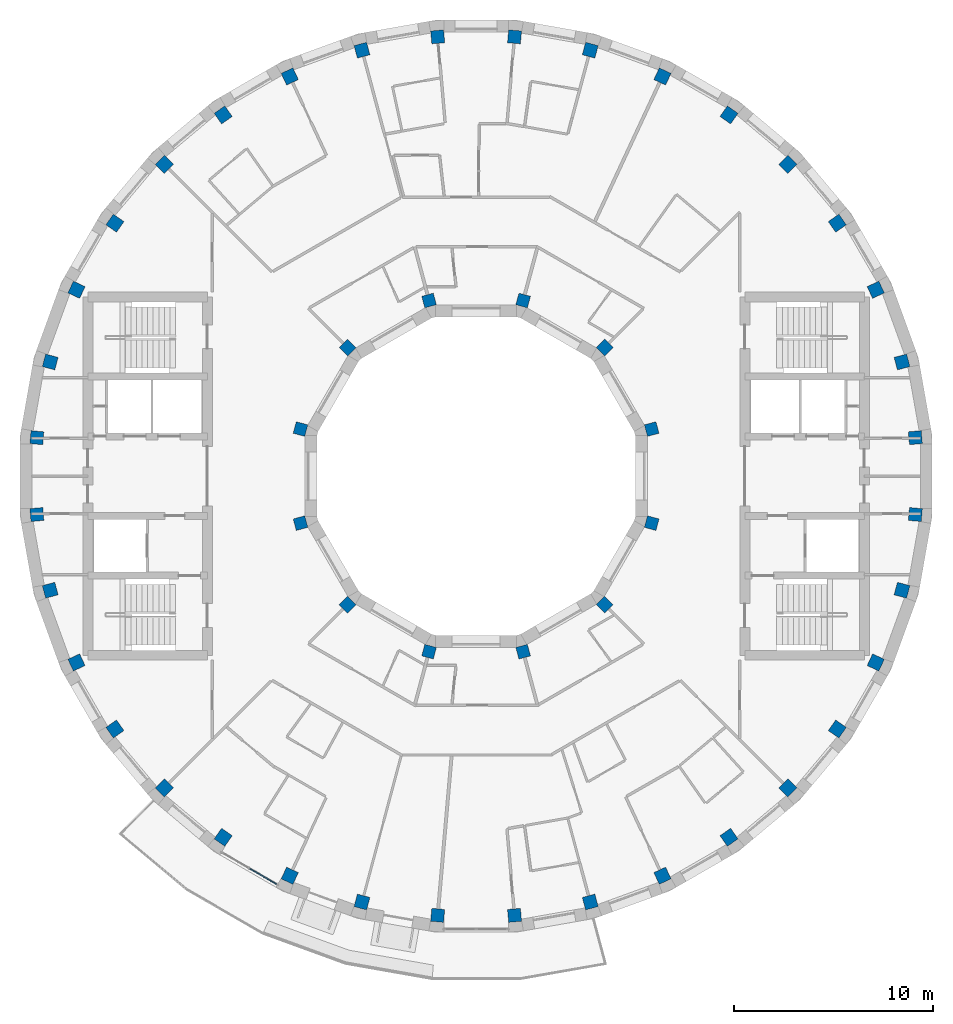
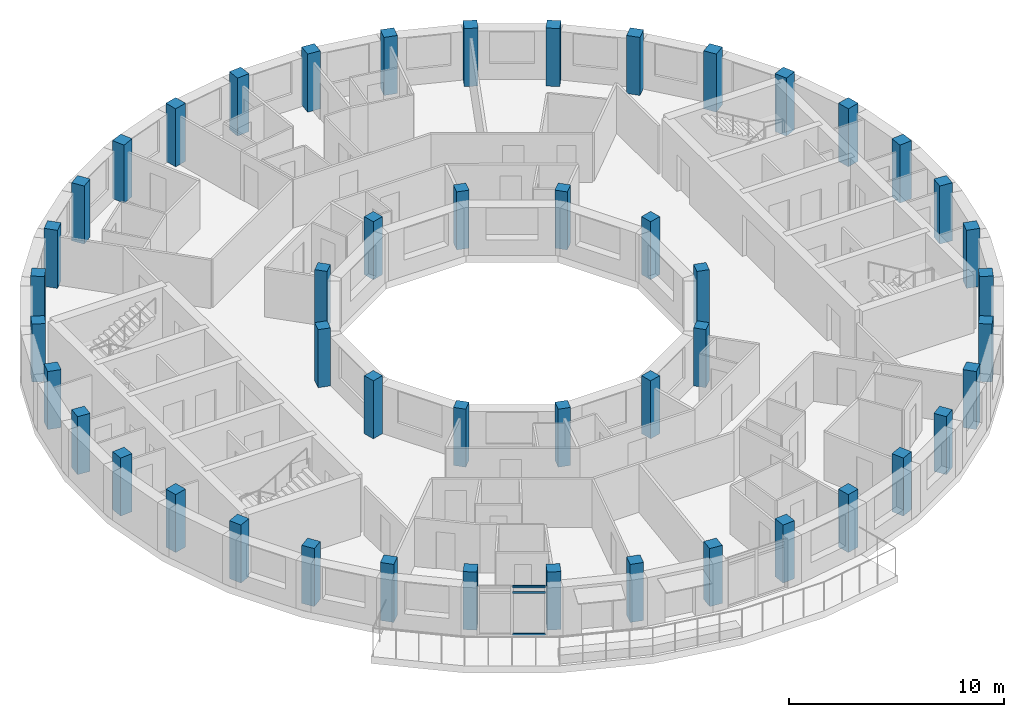
# One storey, part 1 of 12: 48 columns, 3 members, 1 element without a shape of its own.
"""IFC4 building model written with IfcOpenShell, lengths in metres."""

from ifc_helpers import new_model, si_unit, direction, frame, origin, origin_2d, place, context, subcontext, project, spatial, rectangle, extrude, material, layer, layer_set, material_profile, profile_set, type_object, element, aggregate, save


model = new_model("IFC4")

# Units and contexts
model_context = context("Model", 3, precision=1e-05, world=origin(), true_north=direction((0.0, 1.0)))
body_context = subcontext(model_context, "Body", "Model", "MODEL_VIEW")
ifc_project = project(units=[si_unit("LENGTHUNIT", "METRE"), si_unit("AREAUNIT", "SQUARE_METRE"), si_unit("VOLUMEUNIT", "CUBIC_METRE"), si_unit("PLANEANGLEUNIT", "RADIAN"), si_unit("MASSUNIT", "GRAM", prefix="KILO")], contexts=[model_context])

# Site, building, storey
site_placement = place(None, origin())
site = spatial("IfcSite", under=ifc_project, at=site_placement, CompositionType="ELEMENT")
building_placement = place(site_placement, origin())
building = spatial("IfcBuilding", under=site, at=building_placement, Name="Saqina Gate Tower", CompositionType="ELEMENT")
storey_placement = place(building_placement, frame((0.0, 0.0, 275.89990234375)))
storey = spatial("IfcBuildingStorey", under=building, at=storey_placement, Name="L79", CompositionType="ELEMENT", Elevation=275.89990234375)

# Columns
ifc_material_1 = material(Name="Concrete C60/75", Category="concrete")
ifc_material_profile_1 = material_profile(ifc_material_1, rectangle(XDim=0.60009765625, YDim=0.60009765625, at=origin_2d()), Name="RC 600x600")
ifc_profile_set_1 = profile_set([ifc_material_profile_1], Name="Concrete C60/75")
column_type_1 = type_object("IfcColumnType", Name="STR-COL-IN-D", PredefinedType="COLUMN", material=ifc_profile_set_1)
for number, where, z_axis, x_axis, name in (
    (1, (8.821044921875, 2.363525390625, 0.0), (0.0, 0.0, 1.0), (0.965925826289, 0.258819045103, 0.0), "L79-ICL01"),
    (2, (6.45751953125, 6.45751953125, 0.0), (0.0, 0.0, 1.0), (0.707106781187, 0.707106781187, 0.0), "L79-ICL02"),
    (3, (2.363525390625, 8.821044921875, 0.0), (0.0, 0.0, 1.0), (0.258819045103, 0.965925826289, 0.0), "L79-ICL03"),
    (4, (-2.363525390625, 8.821044921875, 0.0), (0.0, 0.0, 1.0), (-0.258819045103, 0.965925826289, 0.0), "L79-ICL04"),
    (5, (-6.45751953125, 6.45751953125, 0.0), (0.0, 0.0, 1.0), (-0.707106781187, 0.707106781187, 0.0), "L79-ICL05"),
    (6, (-8.821044921875, 2.363525390625, 0.0), (0.0, 0.0, 1.0), (-0.965925826289, 0.258819045103, 0.0), "L79-ICL06"),
    (7, (-8.821044921875, -2.363525390625, 0.0), (0.0, 0.0, 1.0), (-0.965925826289, -0.258819045103, 0.0), "L79-ICL07"),
    (8, (-6.45751953125, -6.45751953125, 0.0), (0.0, 0.0, 1.0), (-0.707106781187, -0.707106781187, 0.0), "L79-ICL08"),
    (9, (-2.363525390625, -8.821044921875, 0.0), (0.0, 0.0, 1.0), (-0.258819045103, -0.965925826289, 0.0), "L79-ICL09"),
    (10, (2.363525390625, -8.821044921875, 0.0), (0.0, 0.0, 1.0), (0.258819045103, -0.965925826289, 0.0), "L79-ICL10"),
    (11, (6.45751953125, -6.45751953125, 0.0), (0.0, 0.0, 1.0), (0.707106781187, -0.707106781187, 0.0), "L79-ICL11"),
    (12, (8.821044921875, -2.363525390625, 0.0), (0.0, 0.0, 1.0), (0.965925826289, -0.258819045103, 0.0), "L79-ICL12"),
):
    element("IfcColumn", number, at=place(storey_placement, frame(where, z_axis=z_axis, x_axis=x_axis)), inside=storey, type_object=column_type_1, Name=name, PredefinedType="COLUMN", context=body_context, shape_type="SweptSolid", body=[
        extrude(rectangle(XDim=0.60009765625, YDim=0.60009765625, at=origin_2d()), origin(), (0.0, 0.0, 1.0), 3.300048828125),
    ])
ifc_material_2 = material(Name="Concrete C60/75", Category="concrete")
ifc_material_profile_2 = material_profile(ifc_material_2, rectangle(XDim=0.64990234375, YDim=0.64990234375, at=origin_2d()), Name="RC 650x650")
ifc_profile_set_2 = profile_set([ifc_material_profile_2], Name="Concrete C60/75")
column_type_2 = type_object("IfcColumnType", Name="STR-COL-OUT-D", PredefinedType="COLUMN", material=ifc_profile_set_2)
for number, where, z_axis, x_axis, name in (
    (13, (22.065673828125, 1.930419921875, 0.0), (0.0, 0.0, 1.0), (0.996194698092, 0.087155742748, 0.0), "L79-COL01"),
    (14, (21.395263671875, 5.73291015625, 0.0), (0.0, 0.0, 1.0), (0.965925826289, 0.258819045103, 0.0), "L79-COL02"),
    (15, (20.07470703125, 9.361083984375, 0.0), (0.0, 0.0, 1.0), (0.906307787037, 0.422618261741, 0.0), "L79-COL03"),
    (16, (18.144287109375, 12.704833984375, 0.0), (0.0, 0.0, 1.0), (0.819152044289, 0.573576436351, 0.0), "L79-COL04"),
    (17, (15.662353515625, 15.662353515625, 0.0), (0.0, 0.0, 1.0), (0.707106781187, 0.707106781187, 0.0), "L79-COL05"),
    (18, (12.704833984375, 18.144287109375, 0.0), (0.0, 0.0, 1.0), (0.573576436351, 0.819152044289, 0.0), "L79-COL06"),
    (19, (9.361083984375, 20.07470703125, 0.0), (0.0, 0.0, 1.0), (0.422618261741, 0.906307787037, 0.0), "L79-COL07"),
    (20, (5.73291015625, 21.395263671875, 0.0), (0.0, 0.0, 1.0), (0.258819045103, 0.965925826289, 0.0), "L79-COL08"),
    (21, (1.930419921875, 22.065673828125, 0.0), (0.0, 0.0, 1.0), (0.087155742748, 0.996194698092, 0.0), "L79-COL09"),
    (22, (-1.930419921875, 22.065673828125, 0.0), (0.0, 0.0, 1.0), (-0.087155742748, 0.996194698092, 0.0), "L79-COL10"),
    (23, (-5.73291015625, 21.395263671875, 0.0), (0.0, 0.0, 1.0), (-0.258819045103, 0.965925826289, 0.0), "L79-COL11"),
    (24, (-9.361083984375, 20.07470703125, 0.0), (0.0, 0.0, 1.0), (-0.422618261741, 0.906307787037, 0.0), "L79-COL12"),
    (25, (-12.704833984375, 18.144287109375, 0.0), (0.0, 0.0, 1.0), (-0.573576436351, 0.819152044289, 0.0), "L79-COL13"),
    (26, (-15.662353515625, 15.662353515625, 0.0), (0.0, 0.0, 1.0), (-0.707106781187, 0.707106781187, 0.0), "L79-COL14"),
    (27, (-18.144287109375, 12.704833984375, 0.0), (0.0, 0.0, 1.0), (-0.819152044289, 0.573576436351, 0.0), "L79-COL15"),
    (28, (-20.07470703125, 9.361083984375, 0.0), (0.0, 0.0, 1.0), (-0.906307787037, 0.422618261741, 0.0), "L79-COL16"),
    (29, (-21.395263671875, 5.73291015625, 0.0), (0.0, 0.0, 1.0), (-0.965925826289, 0.258819045103, 0.0), "L79-COL17"),
    (30, (-22.065673828125, 1.930419921875, 0.0), (0.0, 0.0, 1.0), (-0.996194698092, 0.087155742748, 0.0), "L79-COL18"),
    (31, (-22.065673828125, -1.930419921875, 0.0), (0.0, 0.0, 1.0), (-0.996194698092, -0.087155742748, 0.0), "L79-COL19"),
    (32, (-21.395263671875, -5.73291015625, 0.0), (0.0, 0.0, 1.0), (-0.965925826289, -0.258819045103, 0.0), "L79-COL20"),
    (33, (-20.07470703125, -9.361083984375, 0.0), (0.0, 0.0, 1.0), (-0.906307787037, -0.422618261741, 0.0), "L79-COL21"),
    (34, (-18.144287109375, -12.704833984375, 0.0), (0.0, 0.0, 1.0), (-0.819152044289, -0.573576436351, 0.0), "L79-COL22"),
    (35, (-15.662353515625, -15.662353515625, 0.0), (0.0, 0.0, 1.0), (-0.707106781187, -0.707106781187, 0.0), "L79-COL23"),
    (36, (-12.704833984375, -18.144287109375, 0.0), (0.0, 0.0, 1.0), (-0.573576436351, -0.819152044289, 0.0), "L79-COL24"),
    (37, (-9.361083984375, -20.07470703125, 0.0), (0.0, 0.0, 1.0), (-0.422618261741, -0.906307787037, 0.0), "L79-COL25"),
    (38, (-5.73291015625, -21.395263671875, 0.0), (0.0, 0.0, 1.0), (-0.258819045103, -0.965925826289, 0.0), "L79-COL26"),
    (39, (-1.930419921875, -22.065673828125, 0.0), (0.0, 0.0, 1.0), (-0.087155742748, -0.996194698092, 0.0), "L79-COL27"),
    (40, (1.930419921875, -22.065673828125, 0.0), (0.0, 0.0, 1.0), (0.087155742748, -0.996194698092, 0.0), "L79-COL28"),
    (41, (5.73291015625, -21.395263671875, 0.0), (0.0, 0.0, 1.0), (0.258819045103, -0.965925826289, 0.0), "L79-COL29"),
    (42, (9.361083984375, -20.07470703125, 0.0), (0.0, 0.0, 1.0), (0.422618261741, -0.906307787037, 0.0), "L79-COL30"),
    (43, (12.704833984375, -18.144287109375, 0.0), (0.0, 0.0, 1.0), (0.573576436351, -0.819152044289, 0.0), "L79-COL31"),
    (44, (15.662353515625, -15.662353515625, 0.0), (0.0, 0.0, 1.0), (0.707106781187, -0.707106781187, 0.0), "L79-COL32"),
    (45, (18.144287109375, -12.704833984375, 0.0), (0.0, 0.0, 1.0), (0.819152044289, -0.573576436351, 0.0), "L79-COL33"),
    (46, (20.07470703125, -9.361083984375, 0.0), (0.0, 0.0, 1.0), (0.906307787037, -0.422618261741, 0.0), "L79-COL34"),
    (47, (21.395263671875, -5.73291015625, 0.0), (0.0, 0.0, 1.0), (0.965925826289, -0.258819045103, 0.0), "L79-COL35"),
    (48, (22.065673828125, -1.930419921875, 0.0), (0.0, 0.0, 1.0), (0.996194698092, -0.087155742748, 0.0), "L79-COL36"),
):
    element("IfcColumn", number, at=place(storey_placement, frame(where, z_axis=z_axis, x_axis=x_axis)), inside=storey, type_object=column_type_2, Name=name, PredefinedType="COLUMN", context=body_context, shape_type="SweptSolid", body=[
        extrude(rectangle(XDim=0.64990234375, YDim=0.64990234375, at=origin_2d()), origin(), (0.0, 0.0, 1.0), 3.300048828125),
    ])

# Curtain wall, members
ifc_material_3 = material(Name="Aluminium glazing", Category="aluminium")
ifc_layer = layer(ifc_material_3, 0.159912109375)
ifc_layer_set = layer_set([ifc_layer], Name="CWT-4")
curtain_wall_type = type_object("IfcCurtainWallType", Name="CWT-4", PredefinedType="NOTDEFINED", material=ifc_layer_set)
curtain_wall_placement = place(storey_placement, origin())
curtain_wall = element("IfcCurtainWall", 49, at=curtain_wall_placement, inside=storey, type_object=curtain_wall_type, Name="Terrace lounge glazing facet 24", PredefinedType="NOTDEFINED")
ifc_material_4 = material(Name="Aluminium", Category="aluminium")
ifc_material_profile_3 = material_profile(ifc_material_4, rectangle(XDim=0.06005859375, YDim=0.1201171875, at=origin_2d()), Name="Aluminium 60x120")
ifc_profile_set_3 = profile_set([ifc_material_profile_3], Name="Aluminium")
member_type = type_object("IfcMemberType", Name="CWT-4T", PredefinedType="USERDEFINED", material=ifc_profile_set_3)
member_1_placement = place(storey_placement, frame((-11.355224609375, -19.727783203125, 0.030029296875), z_axis=(0.865984396932, -0.500071019227, 0.0), x_axis=(0.500071019227, 0.865984396932, 0.0)))
member_1 = element("IfcMember", 50, at=member_1_placement, type_object=member_type, Name="CW4-24 transom 2.1", ObjectType="TRANSOM", PredefinedType="USERDEFINED", context=body_context, shape_type="SweptSolid", body=[
    extrude(rectangle(XDim=0.06005859375, YDim=0.1201171875, at=origin_2d()), origin(), (0.0, 0.0, 1.0), 1.535888671875),
])
member_2_placement = place(storey_placement, frame((-11.355224609375, -19.727783203125, 2.400146484375), z_axis=(0.865984396932, -0.500071019227, 0.0), x_axis=(0.500071019227, 0.865984396932, 0.0)))
member_2 = element("IfcMember", 51, at=member_2_placement, type_object=member_type, Name="CW4-24 transom 2.2", ObjectType="TRANSOM", PredefinedType="USERDEFINED", context=body_context, shape_type="SweptSolid", body=[
    extrude(rectangle(XDim=0.06005859375, YDim=0.1201171875, at=origin_2d()), origin(), (0.0, 0.0, 1.0), 1.535888671875),
])
member_3_placement = place(storey_placement, frame((-11.355224609375, -19.727783203125, 2.72021484375), z_axis=(0.865984396932, -0.500071019227, 0.0), x_axis=(0.500071019227, 0.865984396932, 0.0)))
member_3 = element("IfcMember", 52, at=member_3_placement, type_object=member_type, Name="CW4-24 transom 2.3", ObjectType="TRANSOM", PredefinedType="USERDEFINED", context=body_context, shape_type="SweptSolid", body=[
    extrude(rectangle(XDim=0.06005859375, YDim=0.1201171875, at=origin_2d()), origin(), (0.0, 0.0, 1.0), 1.535888671875),
])
aggregate(curtain_wall, [member_1, member_2, member_3])

save(model, "model.ifc")
